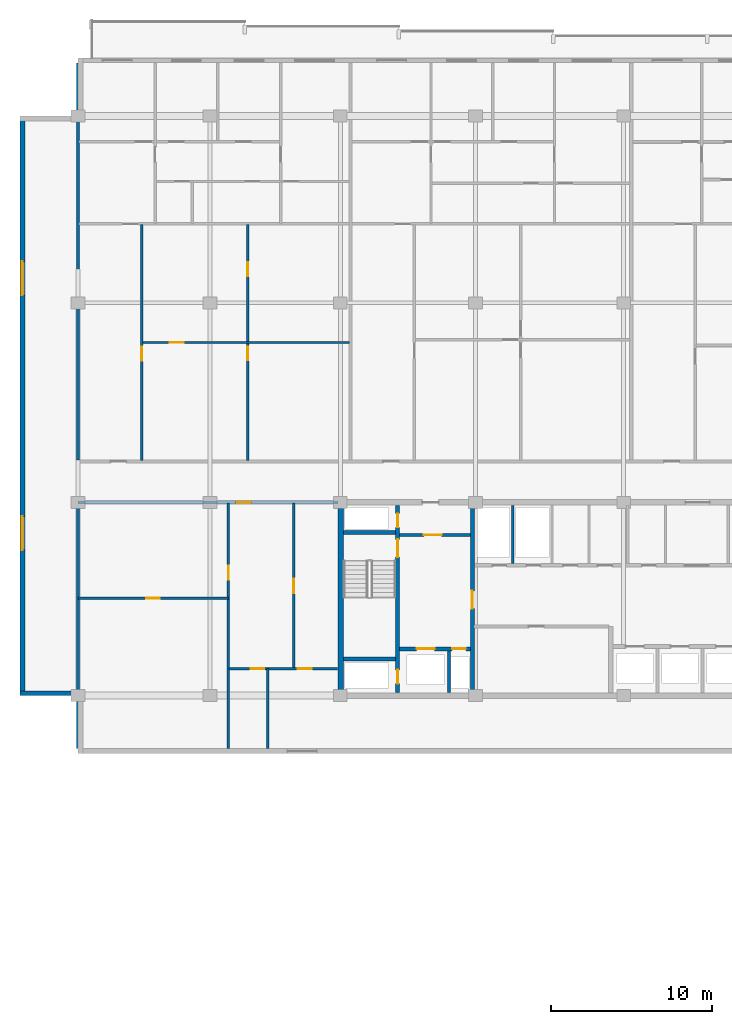
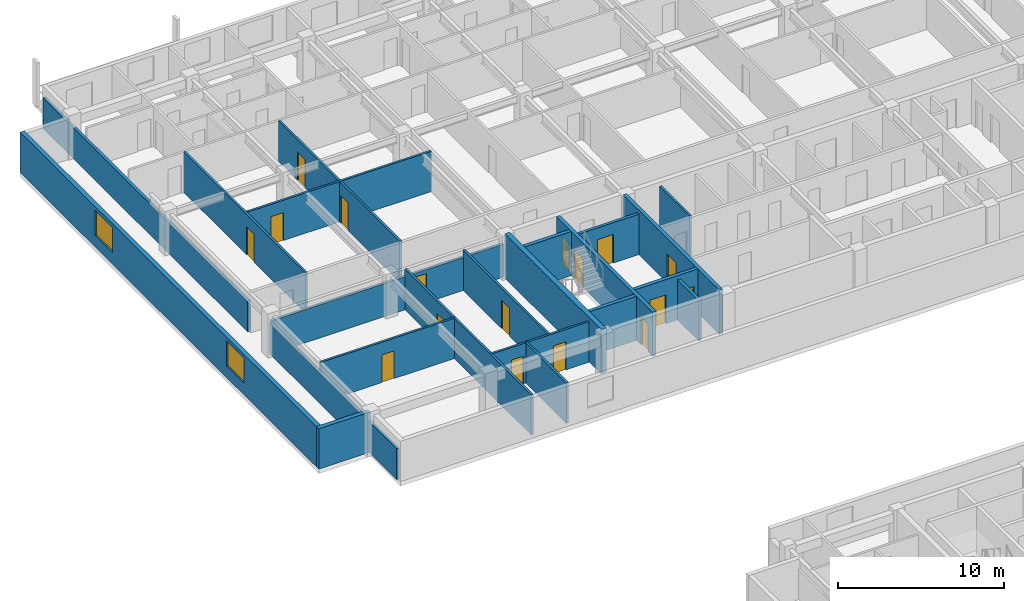
# One storey, part 11 of 23: 22 walls, 17 doors, 2 windows, 19 openings.
"""IFC4 building model written with IfcOpenShell, lengths in metres."""

from ifc_helpers import new_model, si_unit, direction, frame, frame_2d, origin, place, context, subcontext, project, spatial, rectangle, extrude, material, layer, layer_set, type_object, element, fill, save


model = new_model("IFC4")

# Units and contexts
model_context = context("Model", 3, precision=1e-05, world=origin(), true_north=direction((0.0, 1.0)))
body_context = subcontext(model_context, "Body", "Model", "MODEL_VIEW")
ifc_project = project(units=[si_unit("LENGTHUNIT", "METRE"), si_unit("AREAUNIT", "SQUARE_METRE"), si_unit("VOLUMEUNIT", "CUBIC_METRE"), si_unit("PLANEANGLEUNIT", "RADIAN"), si_unit("MASSUNIT", "GRAM", prefix="KILO")], contexts=[model_context])

# Site, building, storey
site_placement = place(None, origin())
site = spatial("IfcSite", under=ifc_project, at=site_placement, CompositionType="ELEMENT")
building_placement = place(site_placement, origin())
building = spatial("IfcBuilding", under=site, at=building_placement, Name="Korimba Cascade Residences", CompositionType="ELEMENT")
storey_placement = place(building_placement, frame((0.0, 0.0, 162.10009765625)))
storey = spatial("IfcBuildingStorey", under=building, at=storey_placement, Name="L46", CompositionType="ELEMENT", Elevation=162.10009765625)

# Wall, openings, windows
ifc_material_1 = material(Name="Precast concrete C40/50", Category="concrete")
ifc_layer_1 = layer(ifc_material_1, 0.300048828125)
ifc_layer_set_1 = layer_set([ifc_layer_1], Name="Precast concrete C40/50")
wall_type_1 = type_object("IfcWallType", Name="EW-STONE-300", PredefinedType="STANDARD", material=ifc_layer_set_1)
wall_1_placement = place(storey_placement, frame((56.35009765625, 91.199951171875, 0.0), z_axis=(0.0, 0.0, 1.0), x_axis=(0.0, -1.0, 0.0)))
wall_1 = element("IfcWall", 1, at=wall_1_placement, inside=storey, type_object=wall_type_1, Name="L46 T1 Perimeter Stone Wall E09", PredefinedType="STANDARD", context=body_context, shape_type="SweptSolid", body=[
    extrude(rectangle(XDim=36.0, YDim=0.300048828125, at=frame_2d((18.0, 0.0))), origin(), (0.0, 0.0, 1.0), 2.969970703125),
])
opening_1_placement = place(wall_1_placement, frame((9.030029296875, 0.0, 0.85009765625)))
opening_1 = element("IfcOpeningElement", 2, at=opening_1_placement, cuts=wall_1, Name="Opening W-03", PredefinedType="OPENING", context=body_context, shape_type="SweptSolid", body=[
    extrude(rectangle(XDim=2.10009765625, YDim=1.85009765625, at=frame_2d((1.050048828125, 0.925048828125))), frame((0.0, 0.16015625, 0.0), z_axis=(0.0, -1.0, 0.0), x_axis=(1.0, 0.0, 0.0)), (0.0, 0.0, 1.0), 0.320068359375),
])
opening_2_placement = place(wall_1_placement, frame((24.8701171875, 0.0, 0.85009765625)))
opening_2 = element("IfcOpeningElement", 3, at=opening_2_placement, cuts=wall_1, Name="Opening W-03", PredefinedType="OPENING", context=body_context, shape_type="SweptSolid", body=[
    extrude(rectangle(XDim=2.10009765625, YDim=1.85009765625, at=frame_2d((1.050048828125, 0.925048828125))), frame((0.0, 0.16015625, 0.0), z_axis=(0.0, -1.0, 0.0), x_axis=(1.0, 0.0, 0.0)), (0.0, 0.0, 1.0), 0.320068359375),
])
ifc_material_2 = material(Name="Double-Glazed Aluminium Window", Category="aluminium")
window_type = type_object("IfcWindowType", Name="WIN-CRN-2100", PartitioningType="DOUBLE_PANEL_HORIZONTAL", PredefinedType="WINDOW", material=ifc_material_2)
window_1_placement = place(opening_1_placement, origin())
window_1 = element("IfcWindow", 4, at=window_1_placement, inside=storey, type_object=window_type, Name="L46 T1 End View Window 9.1", OverallHeight=1.85009765625, OverallWidth=2.10009765625, PartitioningType="DOUBLE_PANEL_HORIZONTAL", PredefinedType="WINDOW", context=body_context, shape_type="SweptSolid", body=[
    extrude(rectangle(XDim=2.10009765625, YDim=1.85009765625, at=frame_2d((1.050048828125, 0.925048828125))), frame((0.0, 0.030029296875, 0.0), z_axis=(0.0, -1.0, 0.0), x_axis=(1.0, 0.0, 0.0)), (0.0, 0.0, 1.0), 0.06005859375),
])
fill(opening_1, window_1)
window_2_placement = place(opening_2_placement, origin())
window_2 = element("IfcWindow", 5, at=window_2_placement, inside=storey, type_object=window_type, Name="L46 T1 End View Window 9.2", OverallHeight=1.85009765625, OverallWidth=2.10009765625, PartitioningType="DOUBLE_PANEL_HORIZONTAL", PredefinedType="WINDOW", context=body_context, shape_type="SweptSolid", body=[
    extrude(rectangle(XDim=2.10009765625, YDim=1.85009765625, at=frame_2d((1.050048828125, 0.925048828125))), frame((0.0, 0.030029296875, 0.0), z_axis=(0.0, -1.0, 0.0), x_axis=(1.0, 0.0, 0.0)), (0.0, 0.0, 1.0), 0.06005859375),
])
fill(opening_2, window_2)

# Walls
wall_2_placement = place(storey_placement, frame((56.199951171875, 55.35009765625, 0.0), z_axis=(0.0, 0.0, 1.0), x_axis=(1.0, 0.0, 0.0)))
element("IfcWall", 6, at=wall_2_placement, inside=storey, type_object=wall_type_1, Name="L46 T1 Perimeter Stone Wall E10", PredefinedType="STANDARD", context=body_context, shape_type="SweptSolid", body=[
    extrude(rectangle(XDim=3.60009765625, YDim=0.300048828125, at=frame_2d((1.800048828125, 0.0))), origin(), (0.0, 0.0, 1.0), 2.969970703125),
])
ifc_material_3 = material(Name="Concrete C65/80", Category="concrete")
ifc_layer_2 = layer(ifc_material_3, 0.35009765625)
ifc_layer_set_2 = layer_set([ifc_layer_2], Name="Concrete C65/80")
wall_type_2 = type_object("IfcWallType", Name="WAL-CORE-350", PredefinedType="SHEAR", material=ifc_layer_set_2)
wall_3_placement = place(storey_placement, frame((76.125, 55.375, 0.0), z_axis=(0.0, 0.0, 1.0), x_axis=(0.0, 1.0, 0.0)))
element("IfcWall", 7, at=wall_3_placement, inside=storey, type_object=wall_type_2, Name="L46 Core Shear Wall CW-L46-T1-W", PredefinedType="SHEAR", context=body_context, shape_type="SweptSolid", body=[
    extrude(rectangle(XDim=11.64990234375, YDim=0.35009765625, at=frame_2d((5.824951171875, 0.0))), origin(), (0.0, 0.0, 1.0), 3.25),
])
ifc_layer_3 = layer(ifc_material_1, 0.199951171875)
ifc_layer_set_3 = layer_set([ifc_layer_3], Name="Precast concrete C40/50")
wall_type_3 = type_object("IfcWallType", Name="WAL-IT-200", PredefinedType="PARTITIONING", material=ifc_layer_set_3)
wall_4_placement = place(storey_placement, frame((59.800048828125, 51.89990234375, 0.0), z_axis=(0.0, 0.0, 1.0), x_axis=(0.0, 1.0, 0.0)))
element("IfcWall", 8, at=wall_4_placement, inside=storey, type_object=wall_type_3, Name="L46 Partition Wall WAL-L46-T1-FW-WL", PredefinedType="PARTITIONING", context=body_context, shape_type="SweptSolid", body=[
    extrude(rectangle(XDim=15.300048828125, YDim=0.199951171875, at=frame_2d((7.64990234375, 0.0))), origin(), (0.0, 0.0, 1.0), 2.277099609375),
])

# Wall, opening, door
wall_5_placement = place(storey_placement, frame((59.800048828125, 67.199951171875, 0.0), z_axis=(0.0, 0.0, 1.0), x_axis=(1.0, 0.0, 0.0)))
wall_5 = element("IfcWall", 9, at=wall_5_placement, inside=storey, type_object=wall_type_3, Name="L46 Partition Wall WAL-L46-T1-FW-N", PredefinedType="PARTITIONING", context=body_context, shape_type="SweptSolid", body=[
    extrude(rectangle(XDim=16.14990234375, YDim=0.199951171875, at=frame_2d((8.074951171875, 0.0))), origin(), (0.0, 0.0, 1.0), 2.43310546875),
])
opening_3_placement = place(wall_5_placement, frame((9.823486328125, 0.0, 0.0)))
opening_3 = element("IfcOpeningElement", 10, at=opening_3_placement, cuts=wall_5, Name="Opening D-UN1", PredefinedType="OPENING", context=body_context, shape_type="SweptSolid", body=[
    extrude(rectangle(XDim=0.949951171875, YDim=2.14990234375, at=frame_2d((0.47509765625, 1.074951171875))), frame((0.0, 0.10986328125, 0.0), z_axis=(0.0, -1.0, 0.0), x_axis=(1.0, 0.0, 0.0)), (0.0, 0.0, 1.0), 0.219970703125),
])
ifc_material_4 = material(Name="Fire-Rated Hardwood Apartment Entrance Door", Category="wood")
door_type_1 = type_object("IfcDoorType", Name="DR-FD60-950", OperationType="NOTDEFINED", PredefinedType="DOOR", material=ifc_material_4)
door_1_placement = place(opening_3_placement, origin())
door_1 = element("IfcDoor", 11, at=door_1_placement, inside=storey, type_object=door_type_1, Name="L46-T1-FW Entrance Door", OperationType="SINGLE_SWING_LEFT", OverallHeight=2.14990234375, OverallWidth=0.949951171875, PredefinedType="DOOR", context=body_context, shape_type="SweptSolid", body=[
    extrude(rectangle(XDim=0.949951171875, YDim=2.14990234375, at=frame_2d((0.47509765625, 1.074951171875))), frame((0.0, 0.02490234375, 0.0), z_axis=(0.0, -1.0, 0.0), x_axis=(1.0, 0.0, 0.0)), (0.0, 0.0, 1.0), 0.050048828125),
])
fill(opening_3, door_1)

# Walls
wall_6_placement = place(storey_placement, frame((59.800048828125, 69.830078125, 0.0), z_axis=(0.0, 0.0, 1.0), x_axis=(0.0, 1.0, 0.0)))
element("IfcWall", 12, at=wall_6_placement, inside=storey, type_object=wall_type_3, Name="L46 Partition Wall WAL-L46-T1-BNDWL", PredefinedType="PARTITIONING", context=body_context, shape_type="SweptSolid", body=[
    extrude(rectangle(XDim=24.669921875, YDim=0.199951171875, at=frame_2d((12.3349609375, 0.0))), origin(), (0.0, 0.0, 1.0), 2.277099609375),
])
ifc_material_5 = material(Name="Insulated Acoustic Stud Partition", Category="gypsum")
ifc_layer_4 = layer(ifc_material_5, 0.14990234375)
ifc_layer_set_4 = layer_set([ifc_layer_4], Name="Insulated Acoustic Stud Partition")
wall_type_4 = type_object("IfcWallType", Name="WAL-PART-150", PredefinedType="PARTITIONING", material=ifc_layer_set_4)
wall_7_placement = place(storey_placement, frame((86.800048828125, 63.39990234375, 0.0), z_axis=(0.0, 0.0, 1.0), x_axis=(0.0, 1.0, 0.0)))
element("IfcWall", 13, at=wall_7_placement, inside=storey, type_object=wall_type_4, Name="L46 Partition Wall CW-L46-T1-ERDIV", PredefinedType="PARTITIONING", context=body_context, shape_type="SweptSolid", body=[
    extrude(rectangle(XDim=3.60009765625, YDim=0.14990234375, at=frame_2d((1.800048828125, 0.0))), origin(), (0.0, 0.0, 1.0), 2.969970703125),
])

# Wall, opening, door
wall_8_placement = place(storey_placement, frame((59.800048828125, 61.25, 0.0), z_axis=(0.0, 0.0, 1.0), x_axis=(1.0, 0.0, 0.0)))
wall_8 = element("IfcWall", 14, at=wall_8_placement, inside=storey, type_object=wall_type_4, Name="L46 Partition Wall WAL-L46-T1-FW-STH", PredefinedType="PARTITIONING", context=body_context, shape_type="SweptSolid", body=[
    extrude(rectangle(XDim=9.349853515625, YDim=0.14990234375, at=frame_2d((4.6748046875, 0.0))), origin(), (0.0, 0.0, 1.0), 2.969970703125),
])
opening_4_placement = place(wall_8_placement, frame((4.2548828125, 0.0, 0.0)))
opening_4 = element("IfcOpeningElement", 15, at=opening_4_placement, cuts=wall_8, Name="Opening D-BT1", PredefinedType="OPENING", context=body_context, shape_type="SweptSolid", body=[
    extrude(rectangle(XDim=0.840087890625, YDim=2.0400390625, at=frame_2d((0.419921875, 1.02001953125))), frame((0.0, 0.0849609375, 0.0), z_axis=(0.0, -1.0, 0.0), x_axis=(1.0, 0.0, 0.0)), (0.0, 0.0, 1.0), 0.169921875),
])
ifc_material_6 = material(Name="Moisture-Resistant Bathroom Timber Door", Category="wood")
door_type_2 = type_object("IfcDoorType", Name="DR-INT-850", OperationType="NOTDEFINED", PredefinedType="DOOR", material=ifc_material_6)
door_2_placement = place(opening_4_placement, origin())
door_2 = element("IfcDoor", 16, at=door_2_placement, inside=storey, type_object=door_type_2, Name="L46-T1-FW Dressing Store Door", OperationType="SINGLE_SWING_RIGHT", OverallHeight=2.0400390625, OverallWidth=0.840087890625, PredefinedType="DOOR", context=body_context, shape_type="SweptSolid", body=[
    extrude(rectangle(XDim=0.840087890625, YDim=2.0400390625, at=frame_2d((0.419921875, 1.02001953125))), frame((0.0, 0.02490234375, 0.0), z_axis=(0.0, -1.0, 0.0), x_axis=(1.0, 0.0, 0.0)), (0.0, 0.0, 1.0), 0.050048828125),
])
fill(opening_4, door_2)

wall_9_placement = place(storey_placement, frame((69.14990234375, 51.89990234375, 0.0), z_axis=(0.0, 0.0, 1.0), x_axis=(0.0, 1.0, 0.0)))
wall_9 = element("IfcWall", 17, at=wall_9_placement, inside=storey, type_object=wall_type_4, Name="L46 Partition Wall WAL-L46-T1-FW-STV", PredefinedType="PARTITIONING", context=body_context, shape_type="SweptSolid", body=[
    extrude(rectangle(XDim=15.25, YDim=0.14990234375, at=frame_2d((7.625, 0.0))), origin(), (0.0, 0.0, 1.0), 2.969970703125),
])
opening_5_placement = place(wall_9_placement, frame((10.5, 0.0, 0.0)))
opening_5 = element("IfcOpeningElement", 18, at=opening_5_placement, cuts=wall_9, Name="Opening D-IN2", PredefinedType="OPENING", context=body_context, shape_type="SweptSolid", body=[
    extrude(rectangle(XDim=0.8798828125, YDim=2.06005859375, at=frame_2d((0.43994140625, 1.030029296875))), frame((0.0, 0.0849609375, 0.0), z_axis=(0.0, -1.0, 0.0), x_axis=(1.0, 0.0, 0.0)), (0.0, 0.0, 1.0), 0.169921875),
])
ifc_material_7 = material(Name="Acoustic Timber Bedroom Door", Category="wood")
door_type_3 = type_object("IfcDoorType", Name="DR-INT-880", OperationType="NOTDEFINED", PredefinedType="DOOR", material=ifc_material_7)
door_3_placement = place(opening_5_placement, origin())
door_3 = element("IfcDoor", 19, at=door_3_placement, inside=storey, type_object=door_type_3, Name="L46-T1-FW Study Door", OperationType="SINGLE_SWING_LEFT", OverallHeight=2.06005859375, OverallWidth=0.8798828125, PredefinedType="DOOR", context=body_context, shape_type="SweptSolid", body=[
    extrude(rectangle(XDim=0.8798828125, YDim=2.06005859375, at=frame_2d((0.43994140625, 1.030029296875))), frame((0.0, 0.02490234375, 0.0), z_axis=(0.0, -1.0, 0.0), x_axis=(1.0, 0.0, 0.0)), (0.0, 0.0, 1.0), 0.050048828125),
])
fill(opening_5, door_3)

wall_10_placement = place(storey_placement, frame((73.199951171875, 56.8701171875, 0.0), z_axis=(0.0, 0.0, 1.0), x_axis=(0.0, 1.0, 0.0)))
wall_10 = element("IfcWall", 20, at=wall_10_placement, inside=storey, type_object=wall_type_4, Name="L46 Partition Wall WAL-L46-T1-FW-VN", PredefinedType="PARTITIONING", context=body_context, shape_type="SweptSolid", body=[
    extrude(rectangle(XDim=10.27978515625, YDim=0.14990234375, at=frame_2d((5.139892578125, 0.0))), origin(), (0.0, 0.0, 1.0), 2.969970703125),
])
opening_6_placement = place(wall_10_placement, frame((4.679931640625, 0.0, 0.0)))
opening_6 = element("IfcOpeningElement", 21, at=opening_6_placement, cuts=wall_10, Name="Opening D-IN1", PredefinedType="OPENING", context=body_context, shape_type="SweptSolid", body=[
    extrude(rectangle(XDim=0.919921875, YDim=2.080078125, at=frame_2d((0.4599609375, 1.0400390625))), frame((0.0, 0.0849609375, 0.0), z_axis=(0.0, -1.0, 0.0), x_axis=(1.0, 0.0, 0.0)), (0.0, 0.0, 1.0), 0.169921875),
])
ifc_material_8 = material(Name="Acoustic Timber Living Door", Category="wood")
door_type_4 = type_object("IfcDoorType", Name="DR-INT-920", OperationType="NOTDEFINED", PredefinedType="DOOR", material=ifc_material_8)
door_4_placement = place(opening_6_placement, origin())
door_4 = element("IfcDoor", 22, at=door_4_placement, inside=storey, type_object=door_type_4, Name="L46-T1-FW Living Door", OperationType="SINGLE_SWING_RIGHT", OverallHeight=2.080078125, OverallWidth=0.919921875, PredefinedType="DOOR", context=body_context, shape_type="SweptSolid", body=[
    extrude(rectangle(XDim=0.919921875, YDim=2.080078125, at=frame_2d((0.4599609375, 1.0400390625))), frame((0.0, 0.02490234375, 0.0), z_axis=(0.0, -1.0, 0.0), x_axis=(1.0, 0.0, 0.0)), (0.0, 0.0, 1.0), 0.050048828125),
])
fill(opening_6, door_4)

# Wall
wall_11_placement = place(storey_placement, frame((71.60009765625, 51.89990234375, 0.0), z_axis=(0.0, 0.0, 1.0), x_axis=(0.0, 1.0, 0.0)))
element("IfcWall", 23, at=wall_11_placement, inside=storey, type_object=wall_type_4, Name="L46 Partition Wall WAL-L46-T1-FW-VS", PredefinedType="PARTITIONING", context=body_context, shape_type="SweptSolid", body=[
    extrude(rectangle(XDim=4.97021484375, YDim=0.14990234375, at=frame_2d((2.485107421875, 0.0))), origin(), (0.0, 0.0, 1.0), 2.969970703125),
])

# Wall, openings, doors
wall_12_placement = place(storey_placement, frame((69.169921875, 56.8701171875, 0.0), z_axis=(0.0, 0.0, 1.0), x_axis=(1.0, 0.0, 0.0)))
wall_12 = element("IfcWall", 24, at=wall_12_placement, inside=storey, type_object=wall_type_4, Name="L46 Partition Wall WAL-L46-T1-FW-H", PredefinedType="PARTITIONING", context=body_context, shape_type="SweptSolid", body=[
    extrude(rectangle(XDim=6.760009765625, YDim=0.14990234375, at=frame_2d((3.3798828125, 0.0))), origin(), (0.0, 0.0, 1.0), 2.969970703125),
])
opening_7_placement = place(wall_12_placement, frame((1.3623046875, 0.0, 0.0)))
opening_7 = element("IfcOpeningElement", 25, at=opening_7_placement, cuts=wall_12, Name="Opening D-BT1", PredefinedType="OPENING", context=body_context, shape_type="SweptSolid", body=[
    extrude(rectangle(XDim=0.840087890625, YDim=2.0400390625, at=frame_2d((0.419921875, 1.02001953125))), frame((0.0, 0.0849609375, 0.0), z_axis=(0.0, -1.0, 0.0), x_axis=(1.0, 0.0, 0.0)), (0.0, 0.0, 1.0), 0.169921875),
])
opening_8_placement = place(wall_12_placement, frame((4.276611328125, 0.0, 0.0)))
opening_8 = element("IfcOpeningElement", 26, at=opening_8_placement, cuts=wall_12, Name="Opening D-IN2", PredefinedType="OPENING", context=body_context, shape_type="SweptSolid", body=[
    extrude(rectangle(XDim=0.8798828125, YDim=2.06005859375, at=frame_2d((0.43994140625, 1.030029296875))), frame((0.0, 0.0849609375, 0.0), z_axis=(0.0, -1.0, 0.0), x_axis=(1.0, 0.0, 0.0)), (0.0, 0.0, 1.0), 0.169921875),
])
door_5_placement = place(opening_7_placement, origin())
door_5 = element("IfcDoor", 27, at=door_5_placement, inside=storey, type_object=door_type_2, Name="L46-T1-FW Bathroom Door", OperationType="SINGLE_SWING_LEFT", OverallHeight=2.0400390625, OverallWidth=0.840087890625, PredefinedType="DOOR", context=body_context, shape_type="SweptSolid", body=[
    extrude(rectangle(XDim=0.840087890625, YDim=2.0400390625, at=frame_2d((0.419921875, 1.02001953125))), frame((0.0, 0.02490234375, 0.0), z_axis=(0.0, -1.0, 0.0), x_axis=(1.0, 0.0, 0.0)), (0.0, 0.0, 1.0), 0.050048828125),
])
fill(opening_7, door_5)
door_6_placement = place(opening_8_placement, origin())
door_6 = element("IfcDoor", 28, at=door_6_placement, inside=storey, type_object=door_type_3, Name="L46-T1-FW Bedroom Door", OperationType="SINGLE_SWING_RIGHT", OverallHeight=2.06005859375, OverallWidth=0.8798828125, PredefinedType="DOOR", context=body_context, shape_type="SweptSolid", body=[
    extrude(rectangle(XDim=0.8798828125, YDim=2.06005859375, at=frame_2d((0.43994140625, 1.030029296875))), frame((0.0, 0.02490234375, 0.0), z_axis=(0.0, -1.0, 0.0), x_axis=(1.0, 0.0, 0.0)), (0.0, 0.0, 1.0), 0.050048828125),
])
fill(opening_8, door_6)

wall_13_placement = place(storey_placement, frame((70.342529296875, 69.81005859375, 0.0), z_axis=(0.0, 0.0, 1.0), x_axis=(0.0, 1.0, 0.0)))
wall_13 = element("IfcWall", 29, at=wall_13_placement, inside=storey, type_object=wall_type_4, Name="L46 Partition Wall WAL-L46-T1-U01-FMV", PredefinedType="PARTITIONING", context=body_context, shape_type="SweptSolid", body=[
    extrude(rectangle(XDim=14.64990234375, YDim=0.14990234375, at=frame_2d((7.324951171875, 0.0))), origin(), (0.0, 0.0, 1.0), 2.969970703125),
])
opening_9_placement = place(wall_13_placement, frame((6.235107421875, 0.0, 0.0)))
opening_9 = element("IfcOpeningElement", 30, at=opening_9_placement, cuts=wall_13, Name="Opening D-BT1", PredefinedType="OPENING", context=body_context, shape_type="SweptSolid", body=[
    extrude(rectangle(XDim=0.840087890625, YDim=2.0400390625, at=frame_2d((0.419921875, 1.02001953125))), frame((0.0, 0.0849609375, 0.0), z_axis=(0.0, -1.0, 0.0), x_axis=(1.0, 0.0, 0.0)), (0.0, 0.0, 1.0), 0.169921875),
])
opening_10_placement = place(wall_13_placement, frame((11.4326171875, 0.0, 0.0)))
opening_10 = element("IfcOpeningElement", 31, at=opening_10_placement, cuts=wall_13, Name="Opening D-IN2", PredefinedType="OPENING", context=body_context, shape_type="SweptSolid", body=[
    extrude(rectangle(XDim=0.8798828125, YDim=2.06005859375, at=frame_2d((0.43994140625, 1.030029296875))), frame((0.0, 0.0849609375, 0.0), z_axis=(0.0, -1.0, 0.0), x_axis=(1.0, 0.0, 0.0)), (0.0, 0.0, 1.0), 0.169921875),
])
door_7_placement = place(opening_9_placement, origin())
door_7 = element("IfcDoor", 32, at=door_7_placement, inside=storey, type_object=door_type_2, Name="L46-T1-U01 Wardrobe Door", OperationType="SINGLE_SWING_RIGHT", OverallHeight=2.0400390625, OverallWidth=0.840087890625, PredefinedType="DOOR", context=body_context, shape_type="SweptSolid", body=[
    extrude(rectangle(XDim=0.840087890625, YDim=2.0400390625, at=frame_2d((0.419921875, 1.02001953125))), frame((0.0, 0.02490234375, 0.0), z_axis=(0.0, -1.0, 0.0), x_axis=(1.0, 0.0, 0.0)), (0.0, 0.0, 1.0), 0.050048828125),
])
fill(opening_9, door_7)
door_8_placement = place(opening_10_placement, origin())
door_8 = element("IfcDoor", 33, at=door_8_placement, inside=storey, type_object=door_type_3, Name="L46-T1-U01 Music Lounge Door", OperationType="SINGLE_SWING_LEFT", OverallHeight=2.06005859375, OverallWidth=0.8798828125, PredefinedType="DOOR", context=body_context, shape_type="SweptSolid", body=[
    extrude(rectangle(XDim=0.8798828125, YDim=2.06005859375, at=frame_2d((0.43994140625, 1.030029296875))), frame((0.0, 0.02490234375, 0.0), z_axis=(0.0, -1.0, 0.0), x_axis=(1.0, 0.0, 0.0)), (0.0, 0.0, 1.0), 0.050048828125),
])
fill(opening_10, door_8)

# Wall, opening, door
wall_14_placement = place(storey_placement, frame((63.830078125, 77.135009765625, 0.0), z_axis=(0.0, 0.0, 1.0), x_axis=(1.0, 0.0, 0.0)))
wall_14 = element("IfcWall", 34, at=wall_14_placement, inside=storey, type_object=wall_type_4, Name="L46 Partition Wall WAL-L46-T1-U01-FMH", PredefinedType="PARTITIONING", context=body_context, shape_type="SweptSolid", body=[
    extrude(rectangle(XDim=12.824951171875, YDim=0.14990234375, at=frame_2d((6.41259765625, 0.0))), origin(), (0.0, 0.0, 1.0), 2.969970703125),
])
opening_11_placement = place(wall_14_placement, frame((1.666259765625, 0.0, 0.0)))
opening_11 = element("IfcOpeningElement", 35, at=opening_11_placement, cuts=wall_14, Name="Opening D-IN2", PredefinedType="OPENING", context=body_context, shape_type="SweptSolid", body=[
    extrude(rectangle(XDim=0.8798828125, YDim=2.06005859375, at=frame_2d((0.43994140625, 1.030029296875))), frame((0.0, 0.0849609375, 0.0), z_axis=(0.0, -1.0, 0.0), x_axis=(1.0, 0.0, 0.0)), (0.0, 0.0, 1.0), 0.169921875),
])
door_9_placement = place(opening_11_placement, origin())
door_9 = element("IfcDoor", 36, at=door_9_placement, inside=storey, type_object=door_type_3, Name="L46-T1-U01 Library Salon Door", OperationType="SINGLE_SWING_RIGHT", OverallHeight=2.06005859375, OverallWidth=0.8798828125, PredefinedType="DOOR", context=body_context, shape_type="SweptSolid", body=[
    extrude(rectangle(XDim=0.8798828125, YDim=2.06005859375, at=frame_2d((0.43994140625, 1.030029296875))), frame((0.0, 0.02490234375, 0.0), z_axis=(0.0, -1.0, 0.0), x_axis=(1.0, 0.0, 0.0)), (0.0, 0.0, 1.0), 0.050048828125),
])
fill(opening_11, door_9)

wall_15_placement = place(storey_placement, frame((63.77001953125, 69.81005859375, 0.0), z_axis=(0.0, 0.0, 1.0), x_axis=(0.0, 1.0, 0.0)))
wall_15 = element("IfcWall", 37, at=wall_15_placement, inside=storey, type_object=wall_type_4, Name="L46 Partition Wall WAL-L46-T1-U01-FV", PredefinedType="PARTITIONING", context=body_context, shape_type="SweptSolid", body=[
    extrude(rectangle(XDim=14.64990234375, YDim=0.14990234375, at=frame_2d((7.324951171875, 0.0))), origin(), (0.0, 0.0, 1.0), 2.969970703125),
])
opening_12_placement = place(wall_15_placement, frame((6.195068359375, 0.0, 0.0)))
opening_12 = element("IfcOpeningElement", 38, at=opening_12_placement, cuts=wall_15, Name="Opening D-IN2", PredefinedType="OPENING", context=body_context, shape_type="SweptSolid", body=[
    extrude(rectangle(XDim=0.8798828125, YDim=2.06005859375, at=frame_2d((0.43994140625, 1.030029296875))), frame((0.0, 0.0849609375, 0.0), z_axis=(0.0, -1.0, 0.0), x_axis=(1.0, 0.0, 0.0)), (0.0, 0.0, 1.0), 0.169921875),
])
door_10_placement = place(opening_12_placement, origin())
door_10 = element("IfcDoor", 39, at=door_10_placement, inside=storey, type_object=door_type_3, Name="L46-T1-U01 Media Lounge Door", OperationType="SINGLE_SWING_LEFT", OverallHeight=2.06005859375, OverallWidth=0.8798828125, PredefinedType="DOOR", context=body_context, shape_type="SweptSolid", body=[
    extrude(rectangle(XDim=0.8798828125, YDim=2.06005859375, at=frame_2d((0.43994140625, 1.030029296875))), frame((0.0, 0.02490234375, 0.0), z_axis=(0.0, -1.0, 0.0), x_axis=(1.0, 0.0, 0.0)), (0.0, 0.0, 1.0), 0.050048828125),
])
fill(opening_12, door_10)

# Wall
ifc_material_9 = material(Name="Concrete C40/50", Category="concrete")
ifc_layer_5 = layer(ifc_material_9, 0.199951171875)
ifc_layer_set_5 = layer_set([ifc_layer_5], Name="Concrete C40/50")
wall_type_5 = type_object("IfcWallType", Name="WAL-PART-200", PredefinedType="PARTITIONING", material=ifc_layer_set_5)
wall_16_placement = place(storey_placement, frame((82.85009765625, 55.39990234375, 0.0), z_axis=(0.0, 0.0, 1.0), x_axis=(0.0, 1.0, 0.0)))
element("IfcWall", 40, at=wall_16_placement, inside=storey, type_object=wall_type_5, Name="L46 Partition Wall CW-L46-T1-FFLDIV", PredefinedType="PARTITIONING", context=body_context, shape_type="SweptSolid", body=[
    extrude(rectangle(XDim=2.56005859375, YDim=0.199951171875, at=frame_2d((1.280029296875, 0.0))), origin(), (0.0, 0.0, 1.0), 2.969970703125),
])

# Wall, opening, door
wall_17_placement = place(storey_placement, frame((79.7900390625, 65.179931640625, 0.0), z_axis=(0.0, 0.0, 1.0), x_axis=(1.0, 0.0, 0.0)))
wall_17 = element("IfcWall", 41, at=wall_17_placement, inside=storey, type_object=wall_type_5, Name="L46 Partition Wall CW-L46-T1-FFLN", PredefinedType="PARTITIONING", context=body_context, shape_type="SweptSolid", body=[
    extrude(rectangle(XDim=4.389892578125, YDim=0.199951171875, at=frame_2d((2.19482421875, 0.0))), origin(), (0.0, 0.0, 1.0), 2.969970703125),
])
opening_13_placement = place(wall_17_placement, frame((1.5, 0.0, 0.0)))
opening_13 = element("IfcOpeningElement", 42, at=opening_13_placement, cuts=wall_17, Name="Opening D-FD1", PredefinedType="OPENING", context=body_context, shape_type="SweptSolid", body=[
    extrude(rectangle(XDim=1.10009765625, YDim=2.10009765625, at=frame_2d((0.550048828125, 1.050048828125))), frame((0.0, 0.10986328125, 0.0), z_axis=(0.0, -1.0, 0.0), x_axis=(1.0, 0.0, 0.0)), (0.0, 0.0, 1.0), 0.219970703125),
])
ifc_material_10 = material(Name="Fire-Rated Steel Core Door", Category="steel")
door_type_5 = type_object("IfcDoorType", Name="DR-FD120-1100", OperationType="NOTDEFINED", PredefinedType="DOOR", material=ifc_material_10)
door_11_placement = place(opening_13_placement, origin())
door_11 = element("IfcDoor", 43, at=door_11_placement, inside=storey, type_object=door_type_5, Name="L46 West Firefighting Lobby Door", OperationType="SINGLE_SWING_RIGHT", OverallHeight=2.10009765625, OverallWidth=1.10009765625, PredefinedType="DOOR", context=body_context, shape_type="SweptSolid", body=[
    extrude(rectangle(XDim=1.10009765625, YDim=2.10009765625, at=frame_2d((0.550048828125, 1.050048828125))), frame((0.0, 0.02490234375, 0.0), z_axis=(0.0, -1.0, 0.0), x_axis=(1.0, 0.0, 0.0)), (0.0, 0.0, 1.0), 0.050048828125),
])
fill(opening_13, door_11)

# Wall, openings, doors
ifc_material_11 = material(Name="Concrete C50/60", Category="concrete")
ifc_layer_6 = layer(ifc_material_11, 0.25)
ifc_layer_set_6 = layer_set([ifc_layer_6], Name="Concrete C50/60")
wall_type_6 = type_object("IfcWallType", Name="WAL-SHAFT-250", PredefinedType="SHEAR", material=ifc_layer_set_6)
wall_18_placement = place(storey_placement, frame((79.6650390625, 55.39990234375, 0.0), z_axis=(0.0, 0.0, 1.0), x_axis=(0.0, 1.0, 0.0)))
wall_18 = element("IfcWall", 44, at=wall_18_placement, inside=storey, type_object=wall_type_6, Name="L46 Core Shear Wall CW-L46-T1-STW1E", PredefinedType="SHEAR", context=body_context, shape_type="SweptSolid", body=[
    extrude(rectangle(XDim=11.60009765625, YDim=0.25, at=frame_2d((5.800048828125, 0.0))), origin(), (0.0, 0.0, 1.0), 3.25),
])
opening_14_placement = place(wall_18_placement, frame((0.550048828125, 0.0, 0.0)))
opening_14 = element("IfcOpeningElement", 45, at=opening_14_placement, cuts=wall_18, Name="Opening D-RS1", PredefinedType="OPENING", context=body_context, shape_type="SweptSolid", body=[
    extrude(rectangle(XDim=0.85009765625, YDim=2.050048828125, at=frame_2d((0.425048828125, 1.02490234375))), frame((0.0, 0.135009765625, 0.0), z_axis=(0.0, -1.0, 0.0), x_axis=(1.0, 0.0, 0.0)), (0.0, 0.0, 1.0), 0.27001953125),
])
opening_15_placement = place(wall_18_placement, frame((8.39990234375, 0.0, 0.0)))
opening_15 = element("IfcOpeningElement", 46, at=opening_15_placement, cuts=wall_18, Name="Opening D-FD1", PredefinedType="OPENING", context=body_context, shape_type="SweptSolid", body=[
    extrude(rectangle(XDim=1.10009765625, YDim=2.10009765625, at=frame_2d((0.550048828125, 1.050048828125))), frame((0.0, 0.135009765625, 0.0), z_axis=(0.0, -1.0, 0.0), x_axis=(1.0, 0.0, 0.0)), (0.0, 0.0, 1.0), 0.27001953125),
])
opening_16_placement = place(wall_18_placement, frame((10.25, 0.0, 0.0)))
opening_16 = element("IfcOpeningElement", 47, at=opening_16_placement, cuts=wall_18, Name="Opening D-RS1", PredefinedType="OPENING", context=body_context, shape_type="SweptSolid", body=[
    extrude(rectangle(XDim=0.85009765625, YDim=2.050048828125, at=frame_2d((0.425048828125, 1.02490234375))), frame((0.0, 0.135009765625, 0.0), z_axis=(0.0, -1.0, 0.0), x_axis=(1.0, 0.0, 0.0)), (0.0, 0.0, 1.0), 0.27001953125),
])
door_12_placement = place(opening_15_placement, origin())
door_12 = element("IfcDoor", 48, at=door_12_placement, inside=storey, type_object=door_type_5, Name="L46 Fire Stair ST-W1 Door", OperationType="SINGLE_SWING_LEFT", OverallHeight=2.10009765625, OverallWidth=1.10009765625, PredefinedType="DOOR", context=body_context, shape_type="SweptSolid", body=[
    extrude(rectangle(XDim=1.10009765625, YDim=2.10009765625, at=frame_2d((0.550048828125, 1.050048828125))), frame((0.0, 0.02490234375, 0.0), z_axis=(0.0, -1.0, 0.0), x_axis=(1.0, 0.0, 0.0)), (0.0, 0.0, 1.0), 0.050048828125),
])
fill(opening_15, door_12)
ifc_material_12 = material(Name="Fire-Rated Steel Riser Access Door", Category="steel")
door_type_6 = type_object("IfcDoorType", Name="DR-FD60-850", OperationType="NOTDEFINED", PredefinedType="DOOR", material=ifc_material_12)
door_13_placement = place(opening_14_placement, origin())
door_13 = element("IfcDoor", 49, at=door_13_placement, inside=storey, type_object=door_type_6, Name="L46 Smoke Riser Access Door", OperationType="SINGLE_SWING_RIGHT", OverallHeight=2.050048828125, OverallWidth=0.85009765625, PredefinedType="DOOR", context=body_context, shape_type="SweptSolid", body=[
    extrude(rectangle(XDim=0.85009765625, YDim=2.050048828125, at=frame_2d((0.425048828125, 1.02490234375))), frame((0.0, 0.02490234375, 0.0), z_axis=(0.0, -1.0, 0.0), x_axis=(1.0, 0.0, 0.0)), (0.0, 0.0, 1.0), 0.050048828125),
])
fill(opening_14, door_13)
door_14_placement = place(opening_16_placement, origin())
door_14 = element("IfcDoor", 50, at=door_14_placement, inside=storey, type_object=door_type_6, Name="L46 Hydrant Riser Access Door", OperationType="SINGLE_SWING_RIGHT", OverallHeight=2.050048828125, OverallWidth=0.85009765625, PredefinedType="DOOR", context=body_context, shape_type="SweptSolid", body=[
    extrude(rectangle(XDim=0.85009765625, YDim=2.050048828125, at=frame_2d((0.425048828125, 1.02490234375))), frame((0.0, 0.02490234375, 0.0), z_axis=(0.0, -1.0, 0.0), x_axis=(1.0, 0.0, 0.0)), (0.0, 0.0, 1.0), 0.050048828125),
])
fill(opening_16, door_14)

# Walls
for number, where, z_axis, x_axis, name in (
    (51, (76.300048828125, 57.47509765625, 0.0), (0.0, 0.0, 1.0), (1.0, 0.0, 0.0), "L46 Core Shear Wall CW-L46-T1-STW1S"),
    (52, (76.300048828125, 65.324951171875, 0.0), (0.0, 0.0, 1.0), (1.0, 0.0, 0.0), "L46 Core Shear Wall CW-L46-T1-STW1N"),
):
    element("IfcWall", number, at=place(storey_placement, frame(where, z_axis=z_axis, x_axis=x_axis)), inside=storey, type_object=wall_type_6, Name=name, PredefinedType="SHEAR", context=body_context, shape_type="SweptSolid", body=[
        extrude(rectangle(XDim=3.239990234375, YDim=0.25, at=frame_2d((1.6201171875, 0.0))), origin(), (0.0, 0.0, 1.0), 3.25),
    ])

# Wall, openings, doors
wall_19_placement = place(storey_placement, frame((79.7900390625, 58.10009765625, 0.0), z_axis=(0.0, 0.0, 1.0), x_axis=(1.0, 0.0, 0.0)))
wall_19 = element("IfcWall", 53, at=wall_19_placement, inside=storey, type_object=wall_type_6, Name="L46 Core Shear Wall CW-L46-T1-FFLS", PredefinedType="SHEAR", context=body_context, shape_type="SweptSolid", body=[
    extrude(rectangle(XDim=4.389892578125, YDim=0.25, at=frame_2d((2.19482421875, 0.0))), origin(), (0.0, 0.0, 1.0), 3.25),
])
opening_17_placement = place(wall_19_placement, frame((1.050048828125, 0.0, 0.0)))
opening_17 = element("IfcOpeningElement", 54, at=opening_17_placement, cuts=wall_19, Name="Opening LD-01", PredefinedType="OPENING", context=body_context, shape_type="SweptSolid", body=[
    extrude(rectangle(XDim=1.1201171875, YDim=2.1201171875, at=frame_2d((0.56005859375, 1.06005859375))), frame((0.0, 0.135009765625, 0.0), z_axis=(0.0, -1.0, 0.0), x_axis=(1.0, 0.0, 0.0)), (0.0, 0.0, 1.0), 0.27001953125),
])
opening_18_placement = place(wall_19_placement, frame((3.260009765625, 0.0, 0.0)))
opening_18 = element("IfcOpeningElement", 55, at=opening_18_placement, cuts=wall_19, Name="Opening D-RS1", PredefinedType="OPENING", context=body_context, shape_type="SweptSolid", body=[
    extrude(rectangle(XDim=0.85009765625, YDim=2.050048828125, at=frame_2d((0.425048828125, 1.02490234375))), frame((0.0, 0.135009765625, 0.0), z_axis=(0.0, -1.0, 0.0), x_axis=(1.0, 0.0, 0.0)), (0.0, 0.0, 1.0), 0.27001953125),
])
door_15_placement = place(opening_18_placement, origin())
door_15 = element("IfcDoor", 56, at=door_15_placement, inside=storey, type_object=door_type_6, Name="L46 Pressurisation Riser Door", OperationType="SINGLE_SWING_LEFT", OverallHeight=2.050048828125, OverallWidth=0.85009765625, PredefinedType="DOOR", context=body_context, shape_type="SweptSolid", body=[
    extrude(rectangle(XDim=0.85009765625, YDim=2.050048828125, at=frame_2d((0.425048828125, 1.02490234375))), frame((0.0, 0.02490234375, 0.0), z_axis=(0.0, -1.0, 0.0), x_axis=(1.0, 0.0, 0.0)), (0.0, 0.0, 1.0), 0.050048828125),
])
fill(opening_18, door_15)
ifc_material_13 = material(Name="Stainless Steel Lift Landing Sliding Door", Category="steel")
door_type_7 = type_object("IfcDoorType", Name="DR-LIFT-1100", OperationType="NOTDEFINED", PredefinedType="DOOR", material=ifc_material_13)
door_16_placement = place(opening_17_placement, origin())
door_16 = element("IfcDoor", 57, at=door_16_placement, inside=storey, type_object=door_type_7, Name="L46 Firefighting Lift Landing Door FFL-W1", OperationType="SLIDING_TO_LEFT", OverallHeight=2.1201171875, OverallWidth=1.1201171875, PredefinedType="DOOR", context=body_context, shape_type="SweptSolid", body=[
    extrude(rectangle(XDim=1.1201171875, YDim=2.1201171875, at=frame_2d((0.56005859375, 1.06005859375))), frame((0.0, 0.02490234375, 0.0), z_axis=(0.0, -1.0, 0.0), x_axis=(1.0, 0.0, 0.0)), (0.0, 0.0, 1.0), 0.050048828125),
])
fill(opening_17, door_16)

# Wall, opening, door
wall_20_placement = place(storey_placement, frame((84.300048828125, 55.39990234375, 0.0), z_axis=(0.0, 0.0, 1.0), x_axis=(0.0, 1.0, 0.0)))
wall_20 = element("IfcWall", 58, at=wall_20_placement, inside=storey, type_object=wall_type_6, Name="L46 Core Shear Wall CW-L46-T1-FFLE", PredefinedType="SHEAR", context=body_context, shape_type="SweptSolid", body=[
    extrude(rectangle(XDim=11.60009765625, YDim=0.25, at=frame_2d((5.800048828125, 0.0))), origin(), (0.0, 0.0, 1.0), 3.25),
])
opening_19_placement = place(wall_20_placement, frame((5.199951171875, 0.0, 0.0)))
opening_19 = element("IfcOpeningElement", 59, at=opening_19_placement, cuts=wall_20, Name="Opening D-FD1", PredefinedType="OPENING", context=body_context, shape_type="SweptSolid", body=[
    extrude(rectangle(XDim=1.10009765625, YDim=2.10009765625, at=frame_2d((0.550048828125, 1.050048828125))), frame((0.0, 0.135009765625, 0.0), z_axis=(0.0, -1.0, 0.0), x_axis=(1.0, 0.0, 0.0)), (0.0, 0.0, 1.0), 0.27001953125),
])
door_17_placement = place(opening_19_placement, origin())
door_17 = element("IfcDoor", 60, at=door_17_placement, inside=storey, type_object=door_type_5, Name="L46 Firefighting Lobby to Lift Lobby Door", OperationType="SINGLE_SWING_LEFT", OverallHeight=2.10009765625, OverallWidth=1.10009765625, PredefinedType="DOOR", context=body_context, shape_type="SweptSolid", body=[
    extrude(rectangle(XDim=1.10009765625, YDim=2.10009765625, at=frame_2d((0.550048828125, 1.050048828125))), frame((0.0, 0.02490234375, 0.0), z_axis=(0.0, -1.0, 0.0), x_axis=(1.0, 0.0, 0.0)), (0.0, 0.0, 1.0), 0.050048828125),
])
fill(opening_19, door_17)

save(model, "model.ifc")
